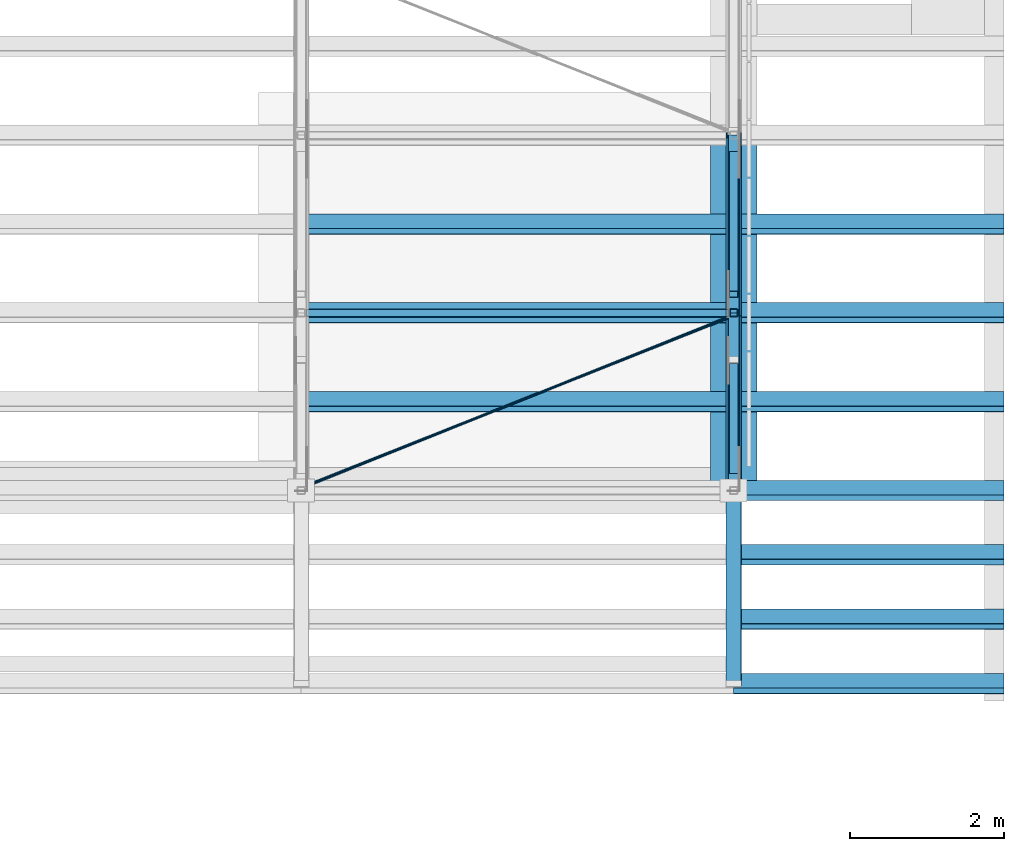
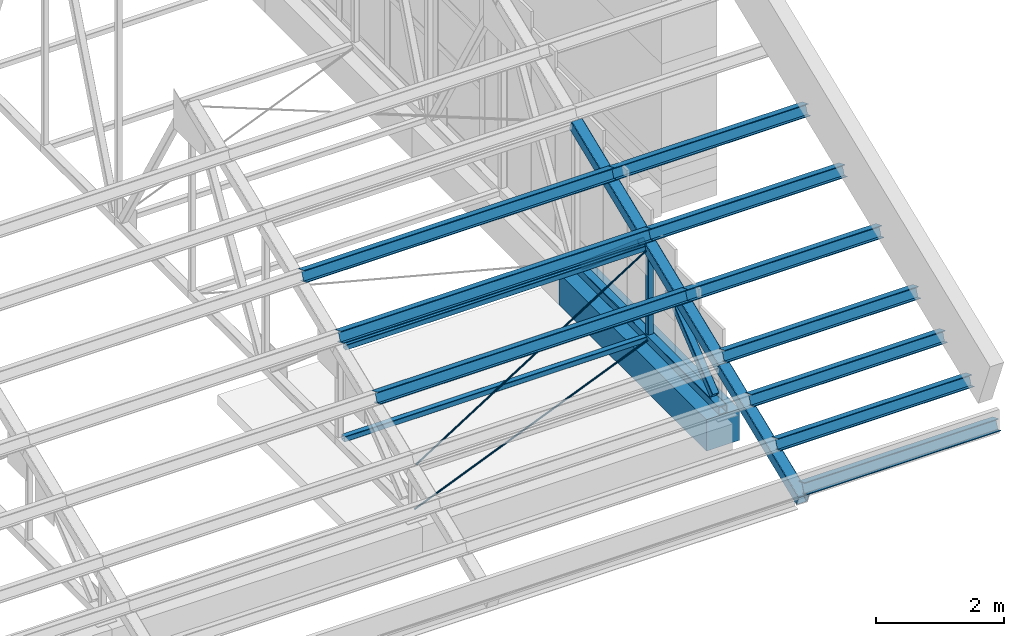
# One storey, part 22 of 71: 22 members, 1 beam.
"""IFC4 building model written with IfcOpenShell, lengths in metres."""

from ifc_helpers import new_model, si_unit, direction, frame, origin, origin_2d, place, context, subcontext, project, spatial, rectangle, hollow_rectangle, circle, i_section, extrude, material, material_profile, profile_set, type_object, element, save


model = new_model("IFC4")

# Units and contexts
model_context = context("Model", 3, precision=1e-05, world=origin(), true_north=direction((0.0, 1.0)))
body_context = subcontext(model_context, "Body", "Model", "MODEL_VIEW")
ifc_project = project(units=[si_unit("LENGTHUNIT", "METRE"), si_unit("AREAUNIT", "SQUARE_METRE"), si_unit("VOLUMEUNIT", "CUBIC_METRE"), si_unit("PLANEANGLEUNIT", "RADIAN"), si_unit("MASSUNIT", "GRAM", prefix="KILO")], contexts=[model_context])

# Site, building, storey
site_placement = place(None, origin())
site = spatial("IfcSite", under=ifc_project, at=site_placement, CompositionType="ELEMENT")
building_placement = place(site_placement, origin())
building = spatial("IfcBuilding", under=site, at=building_placement, Name="Wasatch Bagh Community Centre", CompositionType="ELEMENT")
storey_placement = place(building_placement, frame((0.0, 0.0, 12.60009765625)))
storey = spatial("IfcBuildingStorey", under=building, at=storey_placement, Name="L03", CompositionType="ELEMENT", Elevation=12.60009765625)

# Members
ifc_material_1 = material(Name="ASTM A500 Grade C steel", Category="steel")
ifc_material_profile_1 = material_profile(ifc_material_1, hollow_rectangle(XDim=0.1015625, YDim=0.1015625, WallThickness=0.005859375, InnerFilletRadius=0.005859375, OuterFilletRadius=0.01171875, at=origin_2d()), Name="HSS4x4x1/4")
ifc_profile_set_1 = profile_set([ifc_material_profile_1], Name="ASTM A500 Grade C steel")
member_type_1 = type_object("IfcMemberType", Name="SH HSS4x4x1/4 post", PredefinedType="POST", material=ifc_profile_set_1)
member_1_placement = place(storey_placement, frame((145.800048828125, 40.5, 0.76220703125), z_axis=(0.0, 0.0, 1.0), x_axis=(1.0, 0.0, 0.0)))
element("IfcMember", 1, at=member_1_placement, inside=storey, type_object=member_type_1, Name="SH.SA7.PS02", PredefinedType="POST", context=body_context, shape_type="SweptSolid", body=[
    extrude(hollow_rectangle(XDim=0.1015625, YDim=0.1015625, WallThickness=0.005859375, InnerFilletRadius=0.005859375, OuterFilletRadius=0.01171875, at=origin_2d()), origin(), (0.0, 0.0, 1.0), 1.504638671875),
])
ifc_material_profile_2 = material_profile(ifc_material_1, hollow_rectangle(XDim=0.1015625, YDim=0.1015625, WallThickness=0.005859375, InnerFilletRadius=0.005859375, OuterFilletRadius=0.01171875, at=origin_2d()), Name="HSS4x4x1/4")
ifc_profile_set_2 = profile_set([ifc_material_profile_2], Name="ASTM A500 Grade C steel")
member_type_2 = type_object("IfcMemberType", Name="SH HSS4x4x1/4 strut", PredefinedType="STRUT", material=ifc_profile_set_2)
member_2_placement = place(storey_placement, frame((140.29541015625, 40.5, 2.4296875), z_axis=(1.0, 0.0, 0.0), x_axis=(0.0, 1.0, 0.0)))
element("IfcMember", 2, at=member_2_placement, inside=storey, type_object=member_type_2, Name="SH.BR.eT.ST01E", PredefinedType="STRUT", context=body_context, shape_type="SweptSolid", body=[
    extrude(hollow_rectangle(XDim=0.1015625, YDim=0.1015625, WallThickness=0.005859375, InnerFilletRadius=0.005859375, OuterFilletRadius=0.01171875, at=origin_2d()), origin(), (0.0, 0.0, 1.0), 5.4091796875),
])
member_3_placement = place(storey_placement, frame((140.27001953125, 40.5, 0.68603515625), z_axis=(1.0, 0.0, 0.0), x_axis=(0.0, 1.0, 0.0)))
element("IfcMember", 3, at=member_3_placement, inside=storey, type_object=member_type_2, Name="SH.BR.eB.ST01E", PredefinedType="STRUT", context=body_context, shape_type="SweptSolid", body=[
    extrude(hollow_rectangle(XDim=0.1015625, YDim=0.1015625, WallThickness=0.005859375, InnerFilletRadius=0.005859375, OuterFilletRadius=0.01171875, at=origin_2d()), origin(), (0.0, 0.0, 1.0), 5.4599609375),
])
ifc_material_profile_3 = material_profile(ifc_material_1, hollow_rectangle(XDim=0.126953125, YDim=0.126953125, WallThickness=0.00732421875, InnerFilletRadius=0.00732421875, OuterFilletRadius=0.0146484375, at=origin_2d()), Name="HSS5x5x5/16")
ifc_profile_set_3 = profile_set([ifc_material_profile_3], Name="ASTM A500 Grade C steel")
member_type_3 = type_object("IfcMemberType", Name="SH HSS5x5x5/16 brace", PredefinedType="BRACE", material=ifc_profile_set_3)
member_4_placement = place(storey_placement, frame((145.800048828125, 38.458740234375, 0.81201171875), z_axis=(0.0, 0.775829568588, 0.630942533441), x_axis=(-1.0, 0.0, 0.0)))
element("IfcMember", 4, at=member_4_placement, inside=storey, type_object=member_type_3, Name="SH.SA7.WB01", PredefinedType="BRACE", context=body_context, shape_type="SweptSolid", body=[
    extrude(hollow_rectangle(XDim=0.126953125, YDim=0.126953125, WallThickness=0.00732421875, InnerFilletRadius=0.00732421875, OuterFilletRadius=0.0146484375, at=origin_2d()), origin(), (0.0, 0.0, 1.0), 1.83837890625),
])
member_5_placement = place(storey_placement, frame((145.800048828125, 42.5498046875, 0.81103515625), z_axis=(0.0, -0.760719100191, 0.649081235751), x_axis=(1.0, 0.0, 0.0)))
element("IfcMember", 5, at=member_5_placement, inside=storey, type_object=member_type_3, Name="SH.SA7.WB02", PredefinedType="BRACE", context=body_context, shape_type="SweptSolid", body=[
    extrude(hollow_rectangle(XDim=0.126953125, YDim=0.126953125, WallThickness=0.00732421875, InnerFilletRadius=0.00732421875, OuterFilletRadius=0.0146484375, at=origin_2d()), origin(), (0.0, 0.0, 1.0), 2.377197265625),
])
ifc_material_profile_4 = material_profile(ifc_material_1, hollow_rectangle(XDim=0.15234375, YDim=0.15234375, WallThickness=0.0087890625, InnerFilletRadius=0.0087890625, OuterFilletRadius=0.017822265625, at=origin_2d()), Name="HSS6x6x3/8")
ifc_profile_set_4 = profile_set([ifc_material_profile_4], Name="ASTM A500 Grade C steel")
member_type_4 = type_object("IfcMemberType", Name="SH HSS6x6x3/8 chord", PredefinedType="CHORD", material=ifc_profile_set_4)
for number, where, z_axis, x_axis, name in (
    (6, (145.800048828125, 38.199951171875, 0.68603515625), (0.0, 1.0, 0.0), (-1.0, 0.0, 0.0), "SH.SA7.BC01"),
    (7, (145.800048828125, 40.5, 0.68603515625), (0.0, 1.0, 0.0), (-1.0, 0.0, 0.0), "SH.SA7.BC02"),
):
    element("IfcMember", number, at=place(storey_placement, frame(where, z_axis=z_axis, x_axis=x_axis)), inside=storey, type_object=member_type_4, Name=name, PredefinedType="CHORD", context=body_context, shape_type="SweptSolid", body=[
        extrude(hollow_rectangle(XDim=0.15234375, YDim=0.15234375, WallThickness=0.0087890625, InnerFilletRadius=0.0087890625, OuterFilletRadius=0.017822265625, at=origin_2d()), origin(), (0.0, 0.0, 1.0), 2.300048828125),
    ])
ifc_material_profile_5 = material_profile(ifc_material_1, hollow_rectangle(XDim=0.203125, YDim=0.203125, WallThickness=0.01171875, InnerFilletRadius=0.01171875, OuterFilletRadius=0.023681640625, at=origin_2d()), Name="HSS8x8x1/2")
ifc_profile_set_5 = profile_set([ifc_material_profile_5], Name="ASTM A500 Grade C steel")
member_type_5 = type_object("IfcMemberType", Name="SH HSS8x8x1/2 chord", PredefinedType="CHORD", material=ifc_profile_set_5)
member_6_placement = place(storey_placement, frame((145.800048828125, 35.699951171875, 0.490234375), z_axis=(0.0, 0.927165625561, 0.374651708629), x_axis=(-1.0, 0.0, 0.0)))
element("IfcMember", 8, at=member_6_placement, inside=storey, type_object=member_type_5, Name="SH.SA7.TC01", PredefinedType="CHORD", context=body_context, shape_type="SweptSolid", body=[
    extrude(hollow_rectangle(XDim=0.203125, YDim=0.203125, WallThickness=0.01171875, InnerFilletRadius=0.01171875, OuterFilletRadius=0.023681640625, at=origin_2d()), origin(), (0.0, 0.0, 1.0), 2.69580078125),
])
for number, where, z_axis, x_axis, name in (
    (9, (145.800048828125, 38.200439453125, 1.50048828125), (0.0, 0.927174106992, 0.374630718605), (-1.0, 0.0, 0.0), "SH.SA7.TC02"),
    (10, (145.800048828125, 40.50048828125, 2.4296875), (0.0, 0.927174106992, 0.374630718605), (-1.0, 0.0, 0.0), "SH.SA7.TC03"),
):
    element("IfcMember", number, at=place(storey_placement, frame(where, z_axis=z_axis, x_axis=x_axis)), inside=storey, type_object=member_type_5, Name=name, PredefinedType="CHORD", context=body_context, shape_type="SweptSolid", body=[
        extrude(hollow_rectangle(XDim=0.203125, YDim=0.203125, WallThickness=0.01171875, InnerFilletRadius=0.01171875, OuterFilletRadius=0.023681640625, at=origin_2d()), origin(), (0.0, 0.0, 1.0), 2.479736328125),
    ])

# Beam
ifc_material_2 = material(Name="Concrete C40", Category="concrete")
ifc_material_profile_6 = material_profile(ifc_material_2, rectangle(XDim=0.60009765625, YDim=0.60009765625, at=origin_2d()), Name="RC 600x600")
ifc_profile_set_6 = profile_set([ifc_material_profile_6], Name="Concrete C40")
beam_type = type_object("IfcBeamType", Name="SH RC 600x600 beam", PredefinedType="BEAM", material=ifc_profile_set_6)
beam_placement = place(storey_placement, frame((145.800048828125, 38.199951171875, 0.2998046875), z_axis=(0.0, 1.0, 0.0), x_axis=(-1.0, 0.0, 0.0)))
element("IfcBeam", 11, at=beam_placement, inside=storey, type_object=beam_type, Name="SH.beam.L03.ring19", PredefinedType="BEAM", context=body_context, shape_type="SweptSolid", body=[
    extrude(rectangle(XDim=0.60009765625, YDim=0.60009765625, at=origin_2d()), origin(), (0.0, 0.0, 1.0), 4.60009765625),
])

# Members
ifc_material_3 = material(Name="ASTM A572 Grade 50 steel", Category="steel")
ifc_material_profile_7 = material_profile(ifc_material_3, circle(Radius=0.01611328125, at=origin_2d()), Name="ROD 32")
ifc_profile_set_7 = profile_set([ifc_material_profile_7], Name="ASTM A572 Grade 50 steel")
member_type_6 = type_object("IfcMemberType", Name="SH ROD 32 brace", PredefinedType="BRACE", material=ifc_profile_set_7)
member_7_placement = place(storey_placement, frame((140.3037109375, 38.268798828125, 1.528076171875), z_axis=(0.917838613984, 0.368041316735, 0.148720771435), x_axis=(-0.372180247551, 0.928160472835, 0.0)))
element("IfcMember", 12, at=member_7_placement, inside=storey, type_object=member_type_6, Name="SH.BR.eT.DG01", PredefinedType="BRACE", context=body_context, shape_type="SweptSolid", body=[
    extrude(circle(Radius=0.01611328125, at=origin_2d()), origin(), (0.0, 0.0, 1.0), 5.875244140625),
])
member_8_placement = place(storey_placement, frame((140.27587890625, 38.267822265625, 0.68603515625), z_axis=(0.929355805049, 0.369185302553, 0.0), x_axis=(-0.369185302553, 0.929355805049, 0.0)))
element("IfcMember", 13, at=member_8_placement, inside=storey, type_object=member_type_6, Name="SH.BR.eB.DG01", PredefinedType="BRACE", context=body_context, shape_type="SweptSolid", body=[
    extrude(circle(Radius=0.01611328125, at=origin_2d()), origin(), (0.0, 0.0, 1.0), 5.8623046875),
])
ifc_material_4 = material(Name="ASTM A992 Grade 50 steel", Category="steel")
ifc_material_profile_8 = material_profile(ifc_material_4, i_section(OverallWidth=0.203125, OverallDepth=0.203125, WebThickness=0.00732421875, FlangeThickness=0.010986328125, at=origin_2d()), Name="W8x31")
ifc_profile_set_8 = profile_set([ifc_material_profile_8], Name="ASTM A992 Grade 50 steel")
member_type_7 = type_object("IfcMemberType", Name="SH W8x31 purlin", PredefinedType="PURLIN", material=ifc_profile_set_8)
for number, where, z_axis, x_axis, name in (
    (14, (140.199951171875, 39.35009765625, 2.18408203125), (1.0, 0.0, 0.0), (0.0, 0.927183854567, -0.374606593416), "SH.PUR.b6.PU05"),
    (15, (140.199951171875, 40.5, 2.648681640625), (1.0, 0.0, 0.0), (0.0, 0.927183854567, -0.374606593416), "SH.PUR.b6.PU06"),
    (16, (140.199951171875, 41.64990234375, 3.11328125), (1.0, 0.0, 0.0), (0.0, 0.927183854567, -0.374606593416), "SH.PUR.b6.PU07"),
):
    element("IfcMember", number, at=place(storey_placement, frame(where, z_axis=z_axis, x_axis=x_axis)), inside=storey, type_object=member_type_7, Name=name, PredefinedType="PURLIN", context=body_context, shape_type="SweptSolid", body=[
        extrude(i_section(OverallWidth=0.203125, OverallDepth=0.203125, WebThickness=0.00732421875, FlangeThickness=0.010986328125, at=origin_2d()), origin(), (0.0, 0.0, 1.0), 5.60009765625),
    ])
for number, where, z_axis, x_axis, name in (
    (17, (145.800048828125, 35.699951171875, 0.70947265625), (1.0, 0.0, 0.0), (0.0, 0.927183854567, -0.374606593416), "SH.PUR.v2.PU01"),
    (18, (145.800048828125, 36.533447265625, 1.046142578125), (1.0, 0.0, 0.0), (0.0, 0.927183854567, -0.374606593416), "SH.PUR.v2.PU02"),
    (19, (145.800048828125, 37.36669921875, 1.3828125), (1.0, 0.0, 0.0), (0.0, 0.927183854567, -0.374606593416), "SH.PUR.v2.PU03"),
    (20, (145.800048828125, 38.199951171875, 1.719482421875), (1.0, 0.0, 0.0), (0.0, 0.927183854567, -0.374606593416), "SH.PUR.v2.PU04"),
    (21, (145.800048828125, 39.35009765625, 2.18408203125), (1.0, 0.0, 0.0), (0.0, 0.927183854567, -0.374606593416), "SH.PUR.v2.PU05"),
    (22, (145.800048828125, 40.5, 2.648681640625), (1.0, 0.0, 0.0), (0.0, 0.927183854567, -0.374606593416), "SH.PUR.v2.PU06"),
    (23, (145.800048828125, 41.64990234375, 3.11328125), (1.0, 0.0, 0.0), (0.0, 0.927183854567, -0.374606593416), "SH.PUR.v2.PU07"),
):
    element("IfcMember", number, at=place(storey_placement, frame(where, z_axis=z_axis, x_axis=x_axis)), inside=storey, type_object=member_type_7, Name=name, PredefinedType="PURLIN", context=body_context, shape_type="SweptSolid", body=[
        extrude(i_section(OverallWidth=0.203125, OverallDepth=0.203125, WebThickness=0.00732421875, FlangeThickness=0.010986328125, at=origin_2d()), origin(), (0.0, 0.0, 1.0), 3.5),
    ])

save(model, "model.ifc")
